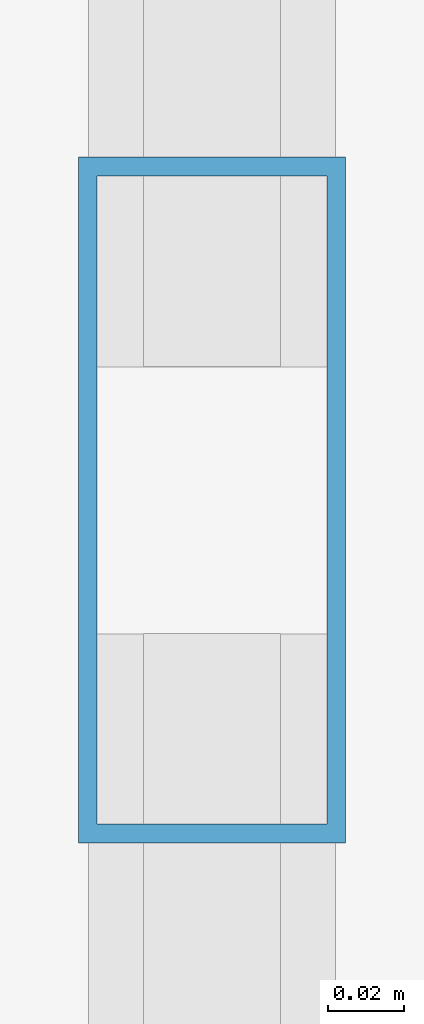
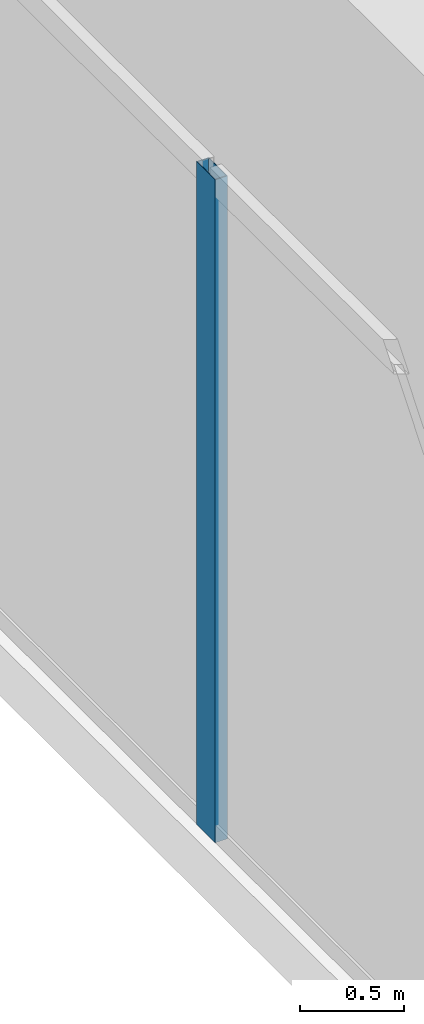
# One storey, part 10 of 31: 1 member, 1 element without a shape of its own.
"""IFC4 building model written with IfcOpenShell, lengths in metres."""

from ifc_helpers import new_model, si_unit, direction, frame, origin, origin_2d, place, context, subcontext, project, spatial, hollow_rectangle, extrude, source, transform, mapped, material, layer, layer_set, material_profile, profile_set, type_object, type_shapes, element, aggregate, save


model = new_model("IFC4")

# Units and contexts
model_context = context("Model", 3, precision=1e-05, world=origin(), true_north=direction((0.0, 1.0)))
body_context = subcontext(model_context, "Body", "Model", "MODEL_VIEW")
ifc_project = project(units=[si_unit("LENGTHUNIT", "METRE"), si_unit("AREAUNIT", "SQUARE_METRE"), si_unit("VOLUMEUNIT", "CUBIC_METRE"), si_unit("PLANEANGLEUNIT", "RADIAN"), si_unit("MASSUNIT", "GRAM", prefix="KILO")], contexts=[model_context])

# Site, building, storey
site_placement = place(None, origin())
site = spatial("IfcSite", under=ifc_project, at=site_placement, CompositionType="ELEMENT")
building_placement = place(site_placement, origin())
building = spatial("IfcBuilding", under=site, at=building_placement, Name="Haelvirn Gate Laboratories", CompositionType="ELEMENT")
storey_placement = place(building_placement, frame((0.0, 0.0, 318.60009765625)))
storey = spatial("IfcBuildingStorey", under=building, at=storey_placement, Name="L76", CompositionType="ELEMENT", Elevation=318.60009765625)

# Curtain wall, member
ifc_material_1 = material(Name="Anodised bronze unitised aluminium & triple low-E glass", Category="aluminium")
ifc_layer = layer(ifc_material_1, 0.176025390625, Name="CW-SYS-4")
ifc_layer_set = layer_set([ifc_layer], Name="Anodised bronze unitised aluminium & triple low-E glass")
curtain_wall_type = type_object("IfcCurtainWallType", Name="CW-SYS-4", PredefinedType="NOTDEFINED", material=ifc_layer_set)
curtain_wall_placement = place(storey_placement, origin())
curtain_wall = element("IfcCurtainWall", 1, at=curtain_wall_placement, inside=storey, type_object=curtain_wall_type, Name="L76 Unitised Curtain Wall CW-L76-P0-E17", PredefinedType="NOTDEFINED")
ifc_material_2 = material(Name="Extruded aluminium 6063-T6 (anodised bronze)", Category="aluminium")
ifc_material_profile = material_profile(ifc_material_2, hollow_rectangle(XDim=0.070068359375, YDim=0.179931640625, WallThickness=0.0048828125, at=origin_2d()), Name="CWM-180x70x5")
ifc_profile_set = profile_set([ifc_material_profile], Name="Extruded aluminium 6063-T6 (anodised bronze)")
member_type = type_object("IfcMemberType", Name="CWM-T180", PredefinedType="MULLION", material=ifc_profile_set)
shared_shape = source(origin(), body_context, "Body", "SweptSolid", [
    extrude(hollow_rectangle(XDim=0.070068359375, YDim=0.179931640625, WallThickness=0.0048828125, at=origin_2d()), origin(), (0.0, 0.0, 1.0), 3.89990234375),
])
type_shapes(member_type, [shared_shape])
member_placement = place(storey_placement, frame((5.89990234375, 24.300048828125, 0.0), z_axis=(0.0, 0.0, 1.0), x_axis=(1.0, 0.0, 0.0)))
member = element("IfcMember", 2, at=member_placement, type_object=member_type, Name="CW4 mullion 2", PredefinedType="MULLION", context=body_context, shape_type="MappedRepresentation", body=[
    mapped(shared_shape, transform((0.0, 0.0, 0.0), scale=1.0)),
])
aggregate(curtain_wall, [member])

save(model, "model.ifc")
